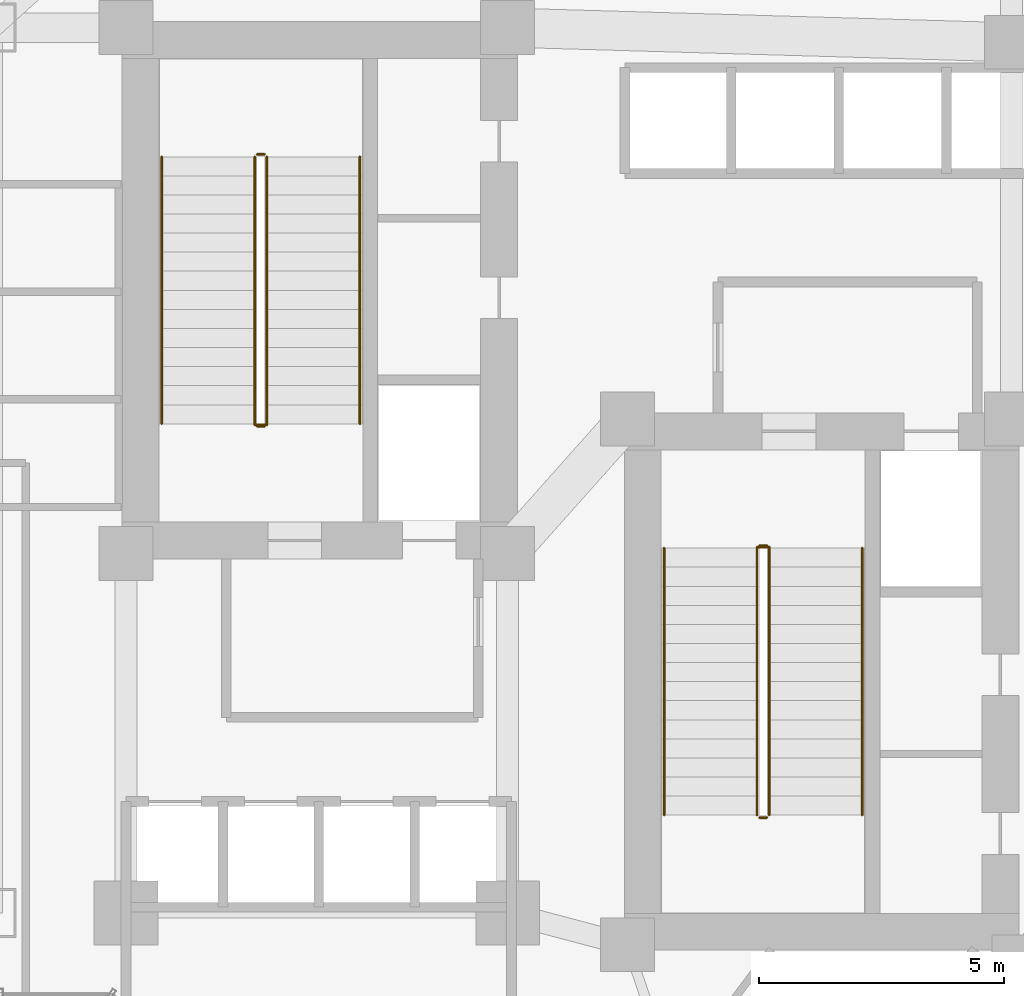
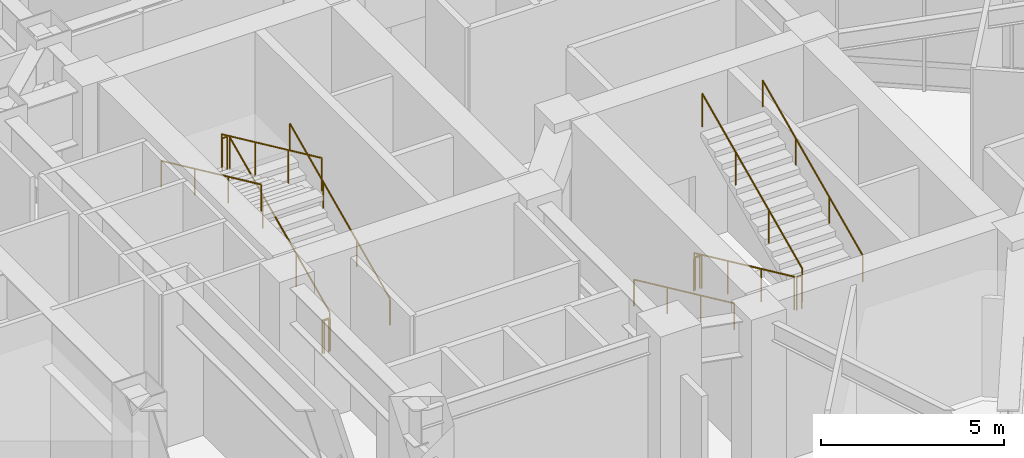
# One storey, part 37 of 38: 14 railings.
"""IFC4 building model written with IfcOpenShell, lengths in metres."""

from ifc_helpers import new_model, si_unit, direction, frame, origin, origin_2d, place, context, subcontext, project, spatial, circle, extrude, material, layer, layer_set, type_object, element, save


model = new_model("IFC4")

# Units and contexts
model_context = context("Model", 3, precision=1e-05, world=origin(), true_north=direction((0.0, 1.0)))
body_context = subcontext(model_context, "Body", "Model", "MODEL_VIEW")
ifc_project = project(units=[si_unit("LENGTHUNIT", "METRE"), si_unit("AREAUNIT", "SQUARE_METRE"), si_unit("VOLUMEUNIT", "CUBIC_METRE"), si_unit("PLANEANGLEUNIT", "RADIAN"), si_unit("MASSUNIT", "GRAM", prefix="KILO")], contexts=[model_context])

# Site, building, storey
site_placement = place(None, origin())
site = spatial("IfcSite", under=ifc_project, at=site_placement, CompositionType="ELEMENT")
building_placement = place(site_placement, origin())
building = spatial("IfcBuilding", under=site, at=building_placement, Name="Hatsunagi Terrace Concourse", CompositionType="ELEMENT")
storey_placement = place(building_placement, frame((0.0, 0.0, 21.60009765625)))
storey = spatial("IfcBuildingStorey", under=building, at=storey_placement, Name="L05", CompositionType="ELEMENT", Elevation=21.60009765625)

# Railings
ifc_material_1 = material(Name="Stainless steel", Category="steel")
ifc_layer_1 = layer(ifc_material_1, 0.044921875)
ifc_layer_set_1 = layer_set([ifc_layer_1], Name="StairPitchHandrail_Tower2000")
railing_type_1 = type_object("IfcRailingType", Name="StairPitchHandrail_Tower2000", PredefinedType="HANDRAIL", material=ifc_layer_set_1)
railing_1_placement = place(storey_placement, frame((30.330078125, 35.199951171875, 0.179931640625)))
element("IfcRailing", 1, at=railing_1_placement, inside=storey, type_object=railing_type_1, Name="L05 ST-A stair handrail 1", PredefinedType="HANDRAIL", context=body_context, shape_type="SweptSolid", body=[
    extrude(circle(Radius=0.02392578125, at=origin_2d()), frame((0.0, 0.0, 0.8759765625), z_axis=(0.0, 0.907957007956, 0.419063326602), x_axis=(-1.0, 0.0, 0.0)), (0.0, 0.0, 1.0), 6.013427734375),
    extrude(circle(Radius=0.02099609375, at=origin_2d()), origin(), (0.0, 0.0, 1.0), 0.851806640625),
    extrude(circle(Radius=0.02099609375, at=origin_2d()), frame((0.0, 1.820068359375, 0.840087890625)), (0.0, 0.0, 1.0), 0.851806640625),
    extrude(circle(Radius=0.02099609375, at=origin_2d()), frame((0.0, 3.639892578125, 1.679931640625)), (0.0, 0.0, 1.0), 0.851806640625),
    extrude(circle(Radius=0.02099609375, at=origin_2d()), frame((0.0, 5.4599609375, 2.52001953125)), (0.0, 0.0, 1.0), 0.851806640625),
])
for number, where, name in (
    (2, (26.280029296875, 40.659912109375, 2.8798828125), "L05 ST-A stair handrail 2"),
    (3, (36.550048828125, 32.659912109375, 0.179931640625), "L05 ST-B stair handrail 1"),
):
    element("IfcRailing", number, at=place(storey_placement, frame(where)), inside=storey, type_object=railing_type_1, Name=name, PredefinedType="HANDRAIL", context=body_context, shape_type="SweptSolid", body=[
        extrude(circle(Radius=0.02392578125, at=origin_2d()), frame((0.0, 0.0, 0.8759765625), z_axis=(0.0, -0.907957007956, 0.419063326602), x_axis=(1.0, 0.0, 0.0)), (0.0, 0.0, 1.0), 6.013427734375),
        extrude(circle(Radius=0.02099609375, at=origin_2d()), origin(), (0.0, 0.0, 1.0), 0.851806640625),
        extrude(circle(Radius=0.02099609375, at=origin_2d()), frame((0.0, -1.820068359375, 0.840087890625)), (0.0, 0.0, 1.0), 0.851806640625),
        extrude(circle(Radius=0.02099609375, at=origin_2d()), frame((0.0, -3.639892578125, 1.679931640625)), (0.0, 0.0, 1.0), 0.851806640625),
        extrude(circle(Radius=0.02099609375, at=origin_2d()), frame((0.0, -5.4599609375, 2.52001953125)), (0.0, 0.0, 1.0), 0.851806640625),
    ])
railing_2_placement = place(storey_placement, frame((40.60009765625, 27.199951171875, 2.8798828125)))
element("IfcRailing", 4, at=railing_2_placement, inside=storey, type_object=railing_type_1, Name="L05 ST-B stair handrail 2", PredefinedType="HANDRAIL", context=body_context, shape_type="SweptSolid", body=[
    extrude(circle(Radius=0.02392578125, at=origin_2d()), frame((0.0, 0.0, 0.8759765625), z_axis=(0.0, 0.907957007956, 0.419063326602), x_axis=(-1.0, 0.0, 0.0)), (0.0, 0.0, 1.0), 6.013427734375),
    extrude(circle(Radius=0.02099609375, at=origin_2d()), origin(), (0.0, 0.0, 1.0), 0.851806640625),
    extrude(circle(Radius=0.02099609375, at=origin_2d()), frame((0.0, 1.820068359375, 0.840087890625)), (0.0, 0.0, 1.0), 0.851806640625),
    extrude(circle(Radius=0.02099609375, at=origin_2d()), frame((0.0, 3.639892578125, 1.679931640625)), (0.0, 0.0, 1.0), 0.851806640625),
    extrude(circle(Radius=0.02099609375, at=origin_2d()), frame((0.0, 5.4599609375, 2.52001953125)), (0.0, 0.0, 1.0), 0.851806640625),
])
ifc_material_2 = material(Name="Stainless steel", Category="steel")
ifc_layer_2 = layer(ifc_material_2, 0.06005859375)
ifc_layer_set_2 = layer_set([ifc_layer_2], Name="StairWellGuard_Tower2000")
railing_type_2 = type_object("IfcRailingType", Name="StairWellGuard_Tower2000", PredefinedType="BALUSTRADE", material=ifc_layer_set_2)
railing_3_placement = place(storey_placement, frame((28.429931640625, 35.199951171875, 0.179931640625)))
element("IfcRailing", 5, at=railing_3_placement, inside=storey, type_object=railing_type_2, Name="L05 ST-A stair guard 1", PredefinedType="BALUSTRADE", context=body_context, shape_type="SweptSolid", body=[
    extrude(circle(Radius=0.02392578125, at=origin_2d()), frame((0.0, 0.0, 1.09619140625), z_axis=(0.0, 0.907957007956, 0.419063326602), x_axis=(-1.0, 0.0, 0.0)), (0.0, 0.0, 1.0), 6.013427734375),
    extrude(circle(Radius=0.02099609375, at=origin_2d()), origin(), (0.0, 0.0, 1.0), 1.072021484375),
    extrude(circle(Radius=0.02099609375, at=origin_2d()), frame((0.0, 1.820068359375, 0.840087890625)), (0.0, 0.0, 1.0), 1.072021484375),
    extrude(circle(Radius=0.02099609375, at=origin_2d()), frame((0.0, 3.639892578125, 1.679931640625)), (0.0, 0.0, 1.0), 1.072021484375),
    extrude(circle(Radius=0.02099609375, at=origin_2d()), frame((0.0, 5.4599609375, 2.52001953125)), (0.0, 0.0, 1.0), 1.072021484375),
])
railing_4_placement = place(storey_placement, frame((28.3798828125, 40.7099609375, 2.699951171875)))
element("IfcRailing", 6, at=railing_4_placement, inside=storey, type_object=railing_type_2, Name="L05 ST-A stair guard 2", PredefinedType="BALUSTRADE", context=body_context, shape_type="SweptSolid", body=[
    extrude(circle(Radius=0.02392578125, at=origin_2d()), frame((0.0, 0.0, 1.09619140625), z_axis=(-1.0, 0.0, 0.0), x_axis=(0.0, -1.0, 0.0)), (0.0, 0.0, 1.0), 0.14990234375),
    extrude(circle(Radius=0.02099609375, at=origin_2d()), origin(), (0.0, 0.0, 1.0), 1.072021484375),
    extrude(circle(Radius=0.02099609375, at=origin_2d()), frame((-0.14990234375, 0.0, 0.0)), (0.0, 0.0, 1.0), 1.072021484375),
])
railing_5_placement = place(storey_placement, frame((28.179931640625, 40.659912109375, 2.8798828125)))
element("IfcRailing", 7, at=railing_5_placement, inside=storey, type_object=railing_type_2, Name="L05 ST-A stair guard 3", PredefinedType="BALUSTRADE", context=body_context, shape_type="SweptSolid", body=[
    extrude(circle(Radius=0.02392578125, at=origin_2d()), frame((0.0, 0.0, 1.09619140625), z_axis=(0.0, -0.907957007956, 0.419063326602), x_axis=(1.0, 0.0, 0.0)), (0.0, 0.0, 1.0), 6.013427734375),
    extrude(circle(Radius=0.02099609375, at=origin_2d()), origin(), (0.0, 0.0, 1.0), 1.072021484375),
    extrude(circle(Radius=0.02099609375, at=origin_2d()), frame((0.0, -1.820068359375, 0.840087890625)), (0.0, 0.0, 1.0), 1.072021484375),
    extrude(circle(Radius=0.02099609375, at=origin_2d()), frame((0.0, -3.639892578125, 1.679931640625)), (0.0, 0.0, 1.0), 1.072021484375),
    extrude(circle(Radius=0.02099609375, at=origin_2d()), frame((0.0, -5.4599609375, 2.52001953125)), (0.0, 0.0, 1.0), 1.072021484375),
])
railing_6_placement = place(storey_placement, frame((28.3798828125, 35.14990234375, 0.0)))
element("IfcRailing", 8, at=railing_6_placement, inside=storey, type_object=railing_type_2, Name="L05 ST-A stair guard 4", PredefinedType="BALUSTRADE", context=body_context, shape_type="SweptSolid", body=[
    extrude(circle(Radius=0.02392578125, at=origin_2d()), frame((0.0, 0.0, 1.09619140625), z_axis=(-1.0, 0.0, 0.0), x_axis=(0.0, -1.0, 0.0)), (0.0, 0.0, 1.0), 0.14990234375),
    extrude(circle(Radius=0.02099609375, at=origin_2d()), origin(), (0.0, 0.0, 1.0), 1.072021484375),
    extrude(circle(Radius=0.02099609375, at=origin_2d()), frame((-0.14990234375, 0.0, 0.0)), (0.0, 0.0, 1.0), 1.072021484375),
])
railing_7_placement = place(storey_placement, frame((38.449951171875, 32.659912109375, 0.179931640625)))
element("IfcRailing", 9, at=railing_7_placement, inside=storey, type_object=railing_type_2, Name="L05 ST-B stair guard 1", PredefinedType="BALUSTRADE", context=body_context, shape_type="SweptSolid", body=[
    extrude(circle(Radius=0.02392578125, at=origin_2d()), frame((0.0, 0.0, 1.09619140625), z_axis=(0.0, -0.907957007956, 0.419063326602), x_axis=(1.0, 0.0, 0.0)), (0.0, 0.0, 1.0), 6.013427734375),
    extrude(circle(Radius=0.02099609375, at=origin_2d()), origin(), (0.0, 0.0, 1.0), 1.072021484375),
    extrude(circle(Radius=0.02099609375, at=origin_2d()), frame((0.0, -1.820068359375, 0.840087890625)), (0.0, 0.0, 1.0), 1.072021484375),
    extrude(circle(Radius=0.02099609375, at=origin_2d()), frame((0.0, -3.639892578125, 1.679931640625)), (0.0, 0.0, 1.0), 1.072021484375),
    extrude(circle(Radius=0.02099609375, at=origin_2d()), frame((0.0, -5.4599609375, 2.52001953125)), (0.0, 0.0, 1.0), 1.072021484375),
])
railing_8_placement = place(storey_placement, frame((38.5, 27.14990234375, 2.699951171875)))
element("IfcRailing", 10, at=railing_8_placement, inside=storey, type_object=railing_type_2, Name="L05 ST-B stair guard 2", PredefinedType="BALUSTRADE", context=body_context, shape_type="SweptSolid", body=[
    extrude(circle(Radius=0.02392578125, at=origin_2d()), frame((0.0, 0.0, 1.09619140625), z_axis=(1.0, 0.0, 0.0), x_axis=(0.0, 1.0, 0.0)), (0.0, 0.0, 1.0), 0.14990234375),
    extrude(circle(Radius=0.02099609375, at=origin_2d()), origin(), (0.0, 0.0, 1.0), 1.072021484375),
    extrude(circle(Radius=0.02099609375, at=origin_2d()), frame((0.14990234375, 0.0, 0.0)), (0.0, 0.0, 1.0), 1.072021484375),
])
railing_9_placement = place(storey_placement, frame((38.699951171875, 27.199951171875, 2.8798828125)))
element("IfcRailing", 11, at=railing_9_placement, inside=storey, type_object=railing_type_2, Name="L05 ST-B stair guard 3", PredefinedType="BALUSTRADE", context=body_context, shape_type="SweptSolid", body=[
    extrude(circle(Radius=0.02392578125, at=origin_2d()), frame((0.0, 0.0, 1.09619140625), z_axis=(0.0, 0.907957007956, 0.419063326602), x_axis=(-1.0, 0.0, 0.0)), (0.0, 0.0, 1.0), 6.013427734375),
    extrude(circle(Radius=0.02099609375, at=origin_2d()), origin(), (0.0, 0.0, 1.0), 1.072021484375),
    extrude(circle(Radius=0.02099609375, at=origin_2d()), frame((0.0, 1.820068359375, 0.840087890625)), (0.0, 0.0, 1.0), 1.072021484375),
    extrude(circle(Radius=0.02099609375, at=origin_2d()), frame((0.0, 3.639892578125, 1.679931640625)), (0.0, 0.0, 1.0), 1.072021484375),
    extrude(circle(Radius=0.02099609375, at=origin_2d()), frame((0.0, 5.4599609375, 2.52001953125)), (0.0, 0.0, 1.0), 1.072021484375),
])
railing_10_placement = place(storey_placement, frame((38.5, 32.7099609375, 0.0)))
element("IfcRailing", 12, at=railing_10_placement, inside=storey, type_object=railing_type_2, Name="L05 ST-B stair guard 4", PredefinedType="BALUSTRADE", context=body_context, shape_type="SweptSolid", body=[
    extrude(circle(Radius=0.02392578125, at=origin_2d()), frame((0.0, 0.0, 1.09619140625), z_axis=(1.0, 0.0, 0.0), x_axis=(0.0, 1.0, 0.0)), (0.0, 0.0, 1.0), 0.14990234375),
    extrude(circle(Radius=0.02099609375, at=origin_2d()), origin(), (0.0, 0.0, 1.0), 1.072021484375),
    extrude(circle(Radius=0.02099609375, at=origin_2d()), frame((0.14990234375, 0.0, 0.0)), (0.0, 0.0, 1.0), 1.072021484375),
])
ifc_material_3 = material(Name="Stainless Steel SUS316 Post-and-Rail Guard", Category="steel")
ifc_layer_3 = layer(ifc_material_3, 0.080078125)
ifc_layer_set_3 = layer_set([ifc_layer_3], Name="TerracePlantedGuardRail_1200")
railing_type_3 = type_object("IfcRailingType", Name="TerracePlantedGuardRail_1200", PredefinedType="GUARDRAIL", material=ifc_layer_set_3)
for number, where, name in (
    (13, (28.179931640625, 35.179931640625, 0.0), "Stair ST-A Well Closure Guard L05"),
    (14, (38.449951171875, 32.679931640625, 0.0), "Stair ST-B Well Closure Guard L05"),
):
    element("IfcRailing", number, at=place(storey_placement, frame(where)), inside=storey, type_object=railing_type_3, Name=name, PredefinedType="GUARDRAIL", context=body_context, shape_type="SweptSolid", body=[
        extrude(circle(Radius=0.02392578125, at=origin_2d()), frame((0.0, 0.0, 1.09619140625), z_axis=(1.0, 0.0, 0.0), x_axis=(0.0, 1.0, 0.0)), (0.0, 0.0, 1.0), 0.25),
        extrude(circle(Radius=0.02099609375, at=origin_2d()), origin(), (0.0, 0.0, 1.0), 1.072021484375),
        extrude(circle(Radius=0.02099609375, at=origin_2d()), frame((0.25, 0.0, 0.0)), (0.0, 0.0, 1.0), 1.072021484375),
    ])

save(model, "model.ifc")
